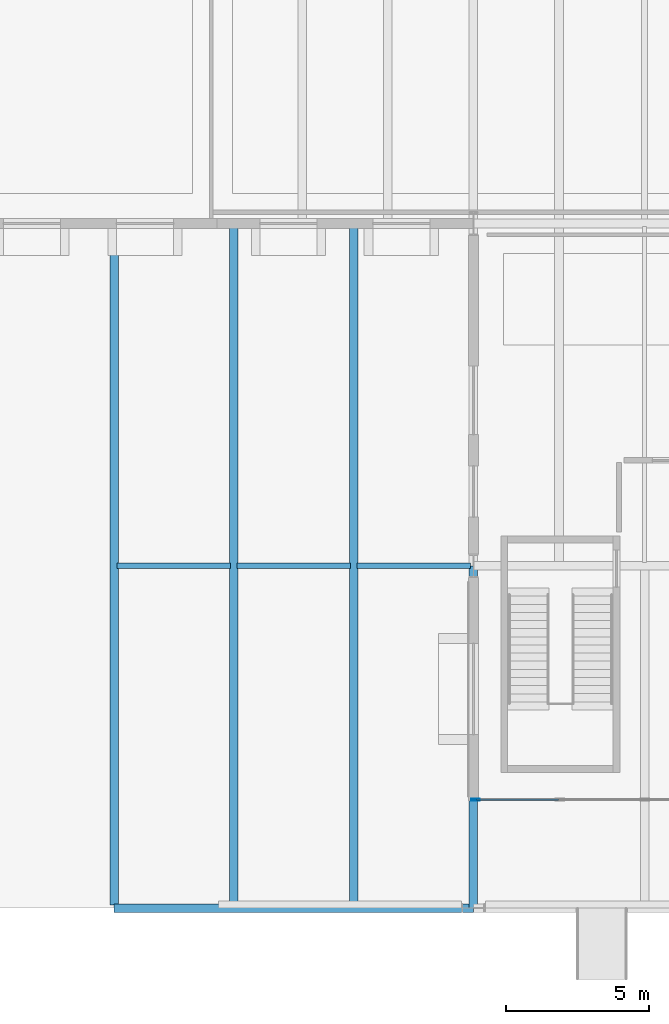
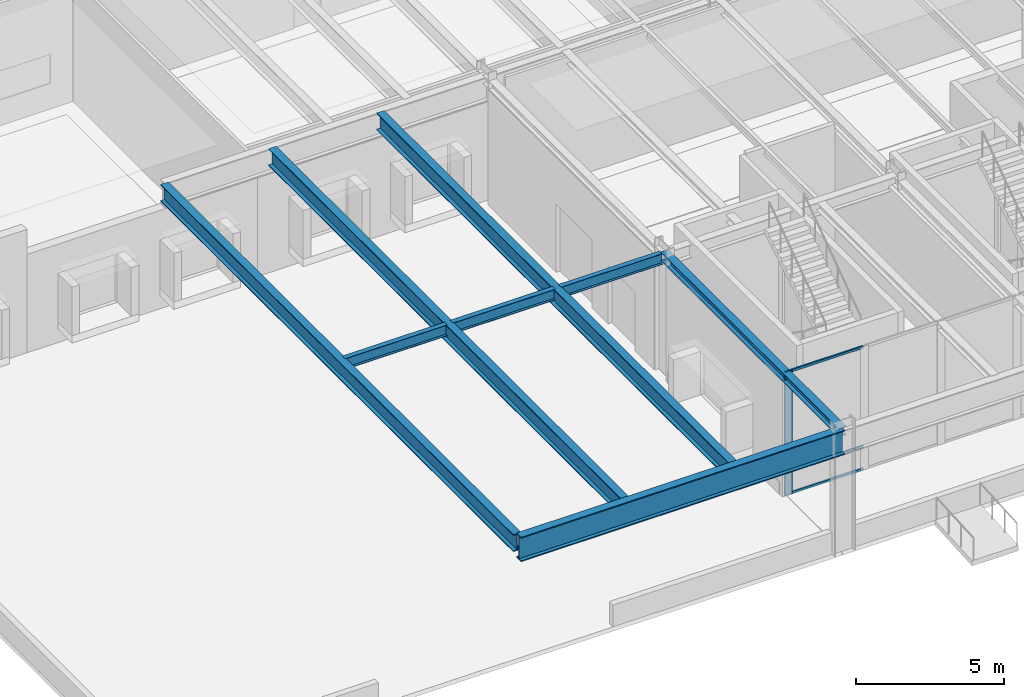
# One storey, part 19 of 143: 8 beams, 4 members, 1 element without a shape of its own.
"""IFC4 building model written with IfcOpenShell, lengths in metres."""

from ifc_helpers import new_model, si_unit, direction, frame, origin, origin_2d, place, context, subcontext, project, spatial, hollow_rectangle, i_section, extrude, material, layer, layer_set, material_profile, profile_set, type_object, element, aggregate, save


model = new_model("IFC4")

# Units and contexts
model_context = context("Model", 3, precision=1e-05, world=origin(), true_north=direction((0.0, 1.0)))
body_context = subcontext(model_context, "Body", "Model", "MODEL_VIEW")
ifc_project = project(units=[si_unit("LENGTHUNIT", "METRE"), si_unit("AREAUNIT", "SQUARE_METRE"), si_unit("VOLUMEUNIT", "CUBIC_METRE"), si_unit("PLANEANGLEUNIT", "RADIAN"), si_unit("MASSUNIT", "GRAM", prefix="KILO")], contexts=[model_context])

# Site, building, storey
site_placement = place(None, origin())
site = spatial("IfcSite", under=ifc_project, at=site_placement, CompositionType="ELEMENT")
building_placement = place(site_placement, origin())
building = spatial("IfcBuilding", under=site, at=building_placement, Name="Montelvaro Courts of Justice", CompositionType="ELEMENT")
storey_placement = place(building_placement, origin())
storey = spatial("IfcBuildingStorey", under=building, at=storey_placement, Name="L00", CompositionType="ELEMENT", Elevation=0.0)

# Beams
ifc_material_1 = material(Name="Steel S355", Category="steel")
ifc_material_profile_1 = material_profile(ifc_material_1, i_section(OverallWidth=0.300048828125, OverallDepth=0.35009765625, WebThickness=0.010009765625, FlangeThickness=0.017578125, at=origin_2d()), Name="HEA 360")
ifc_profile_set_1 = profile_set([ifc_material_profile_1], Name="Steel S355")
beam_type_1 = type_object("IfcBeamType", Name="Beam_HEA360", PredefinedType="USERDEFINED", material=ifc_profile_set_1)
beam_1_placement = place(storey_placement, frame((45.0, 0.0, 4.905029296875), z_axis=(0.0, 1.0, 0.0), x_axis=(-1.0, 0.0, 0.0)))
element("IfcBeam", 1, at=beam_1_placement, inside=storey, type_object=beam_type_1, Name="Beam B-16 L00", ObjectType="GIRDER", PredefinedType="USERDEFINED", context=body_context, shape_type="SweptSolid", body=[
    extrude(i_section(OverallWidth=0.300048828125, OverallDepth=0.35009765625, WebThickness=0.010009765625, FlangeThickness=0.017578125, at=origin_2d()), origin(), (0.0, 0.0, 1.0), 12.0),
])
ifc_material_profile_2 = material_profile(ifc_material_1, i_section(OverallWidth=0.300048828125, OverallDepth=0.699951171875, WebThickness=0.01708984375, FlangeThickness=0.031982421875, at=origin_2d()), Name="HEB 700")
ifc_profile_set_2 = profile_set([ifc_material_profile_2], Name="Steel S355")
beam_type_2 = type_object("IfcBeamType", Name="Beam_HEB700", PredefinedType="USERDEFINED", material=ifc_profile_set_2)
for number, where, z_axis, x_axis, name in (
    (2, (40.800048828125, 0.110107421875, 4.7099609375), (0.0, 1.0, 0.0), (-1.0, 0.0, 0.0), "Beam B-28 L00"),
    (3, (36.60009765625, 0.110107421875, 4.7099609375), (0.0, 1.0, 0.0), (-1.0, 0.0, 0.0), "Beam B-28 L00"),
    (4, (32.39990234375, 0.110107421875, 4.7099609375), (0.0, 1.0, 0.0), (-1.0, 0.0, 0.0), "Beam B-28 L00"),
):
    element("IfcBeam", number, at=place(storey_placement, frame(where, z_axis=z_axis, x_axis=x_axis)), inside=storey, type_object=beam_type_2, Name=name, ObjectType="GIRDER", PredefinedType="USERDEFINED", context=body_context, shape_type="SweptSolid", body=[
        extrude(i_section(OverallWidth=0.300048828125, OverallDepth=0.699951171875, WebThickness=0.01708984375, FlangeThickness=0.031982421875, at=origin_2d()), origin(), (0.0, 0.0, 1.0), 23.77978515625),
    ])
ifc_material_profile_3 = material_profile(ifc_material_1, i_section(OverallWidth=0.302001953125, OverallDepth=1.008056640625, WebThickness=0.02099609375, FlangeThickness=0.0400390625, at=origin_2d()), Name="HEM 1000")
ifc_profile_set_3 = profile_set([ifc_material_profile_3], Name="Steel S355")
beam_type_3 = type_object("IfcBeamType", Name="Beam_HEM1000", PredefinedType="USERDEFINED", material=ifc_profile_set_3)
beam_2_placement = place(storey_placement, frame((45.0, 0.0, 4.555908203125), z_axis=(-1.0, 0.0, 0.0), x_axis=(0.0, -1.0, 0.0)))
element("IfcBeam", 5, at=beam_2_placement, inside=storey, type_object=beam_type_3, Name="Pratt Cantilever Truss Chord CTR-BAR1-S-L01-OVH", ObjectType="GIRDER", PredefinedType="USERDEFINED", context=body_context, shape_type="SweptSolid", body=[
    extrude(i_section(OverallWidth=0.302001953125, OverallDepth=1.008056640625, WebThickness=0.02099609375, FlangeThickness=0.0400390625, at=origin_2d()), origin(), (0.0, 0.0, 1.0), 12.60009765625),
])
ifc_material_profile_4 = material_profile(ifc_material_1, i_section(OverallWidth=0.18994140625, OverallDepth=0.449951171875, WebThickness=0.009521484375, FlangeThickness=0.0146484375, at=origin_2d()), Name="IPE 450")
ifc_profile_set_4 = profile_set([ifc_material_profile_4], Name="Steel S355")
beam_type_4 = type_object("IfcBeamType", Name="Beam_IPE450", PredefinedType="BEAM", material=ifc_profile_set_4)
for number, where, z_axis, x_axis, name in (
    (6, (40.909912109375, 12.0, 4.8349609375), (1.0, 0.0, 0.0), (0.0, 1.0, 0.0), "Beam B-09 L00"),
    (7, (36.7099609375, 12.0, 4.8349609375), (1.0, 0.0, 0.0), (0.0, 1.0, 0.0), "Beam B-09 L00"),
    (8, (32.510009765625, 12.0, 4.8349609375), (1.0, 0.0, 0.0), (0.0, 1.0, 0.0), "Beam B-09 L00"),
):
    element("IfcBeam", number, at=place(storey_placement, frame(where, z_axis=z_axis, x_axis=x_axis)), inside=storey, type_object=beam_type_4, Name=name, PredefinedType="BEAM", context=body_context, shape_type="SweptSolid", body=[
        extrude(i_section(OverallWidth=0.18994140625, OverallDepth=0.449951171875, WebThickness=0.009521484375, FlangeThickness=0.0146484375, at=origin_2d()), origin(), (0.0, 0.0, 1.0), 3.97998046875),
    ])

# Curtain wall, members
ifc_material_2 = material(Name="Anodised aluminium EN AW-6063", Category="aluminium")
ifc_layer = layer(ifc_material_2, 0.159912109375)
ifc_layer_set = layer_set([ifc_layer], Name="Anodised aluminium EN AW-6063")
curtain_wall_type = type_object("IfcCurtainWallType", Name="CurtainWall_10_896x508", PredefinedType="USERDEFINED", material=ifc_layer_set)
curtain_wall_placement = place(storey_placement, origin())
curtain_wall = element("IfcCurtainWall", 9, at=curtain_wall_placement, inside=storey, type_object=curtain_wall_type, Name="Curtain Wall CW-10 (L00)", ObjectType="CURTAIN WALL", PredefinedType="USERDEFINED")
ifc_material_profile_5 = material_profile(ifc_material_2, hollow_rectangle(XDim=0.074951171875, YDim=0.300048828125, WallThickness=0.006103515625, at=origin_2d()), Name="ALU-M 75x300")
ifc_profile_set_5 = profile_set([ifc_material_profile_5], Name="Anodised aluminium EN AW-6063")
member_type_1 = type_object("IfcMemberType", Name="CurtainWall_Mullion_75x300", PredefinedType="MULLION", material=ifc_profile_set_5)
member_1_placement = place(storey_placement, frame((45.077392578125, 3.800048828125, 0.0), z_axis=(0.0, 0.0, 1.0), x_axis=(0.0, 1.0, 0.0)))
member_1 = element("IfcMember", 10, at=member_1_placement, type_object=member_type_1, Name="CW-10 mullion 1", PredefinedType="MULLION", context=body_context, shape_type="SweptSolid", body=[
    extrude(hollow_rectangle(XDim=0.074951171875, YDim=0.300048828125, WallThickness=0.006103515625, at=origin_2d()), origin(), (0.0, 0.0, 1.0), 5.080078125),
])
ifc_material_profile_6 = material_profile(ifc_material_2, hollow_rectangle(XDim=0.06005859375, YDim=0.10009765625, WallThickness=0.00341796875, at=origin_2d()), Name="ALU-T 60x100")
ifc_profile_set_6 = profile_set([ifc_material_profile_6], Name="Anodised aluminium EN AW-6063")
member_type_2 = type_object("IfcMemberType", Name="CurtainWall_Transom_60x100", PredefinedType="USERDEFINED", material=ifc_profile_set_6)
member_2_placement = place(storey_placement, frame((45.114990234375, 3.800048828125, 0.030029296875), z_axis=(1.0, 0.0, 0.0), x_axis=(0.0, 1.0, 0.0)))
member_2 = element("IfcMember", 11, at=member_2_placement, type_object=member_type_2, Name="CW-10 transom 1.1", ObjectType="TRANSOM", PredefinedType="USERDEFINED", context=body_context, shape_type="SweptSolid", body=[
    extrude(hollow_rectangle(XDim=0.06005859375, YDim=0.10009765625, WallThickness=0.00341796875, at=origin_2d()), origin(), (0.0, 0.0, 1.0), 2.874267578125),
])
member_3_placement = place(storey_placement, frame((45.114990234375, 3.800048828125, 0.949951171875), z_axis=(1.0, 0.0, 0.0), x_axis=(0.0, 1.0, 0.0)))
member_3 = element("IfcMember", 12, at=member_3_placement, type_object=member_type_2, Name="CW-10 transom 1.2", ObjectType="TRANSOM", PredefinedType="USERDEFINED", context=body_context, shape_type="SweptSolid", body=[
    extrude(hollow_rectangle(XDim=0.06005859375, YDim=0.10009765625, WallThickness=0.00341796875, at=origin_2d()), origin(), (0.0, 0.0, 1.0), 2.874267578125),
])
member_4_placement = place(storey_placement, frame((45.114990234375, 3.800048828125, 5.050048828125), z_axis=(1.0, 0.0, 0.0), x_axis=(0.0, 1.0, 0.0)))
member_4 = element("IfcMember", 13, at=member_4_placement, type_object=member_type_2, Name="CW-10 transom 1.3", ObjectType="TRANSOM", PredefinedType="USERDEFINED", context=body_context, shape_type="SweptSolid", body=[
    extrude(hollow_rectangle(XDim=0.06005859375, YDim=0.10009765625, WallThickness=0.00341796875, at=origin_2d()), origin(), (0.0, 0.0, 1.0), 2.874267578125),
])
aggregate(curtain_wall, [member_1, member_2, member_3, member_4])

save(model, "model.ifc")
